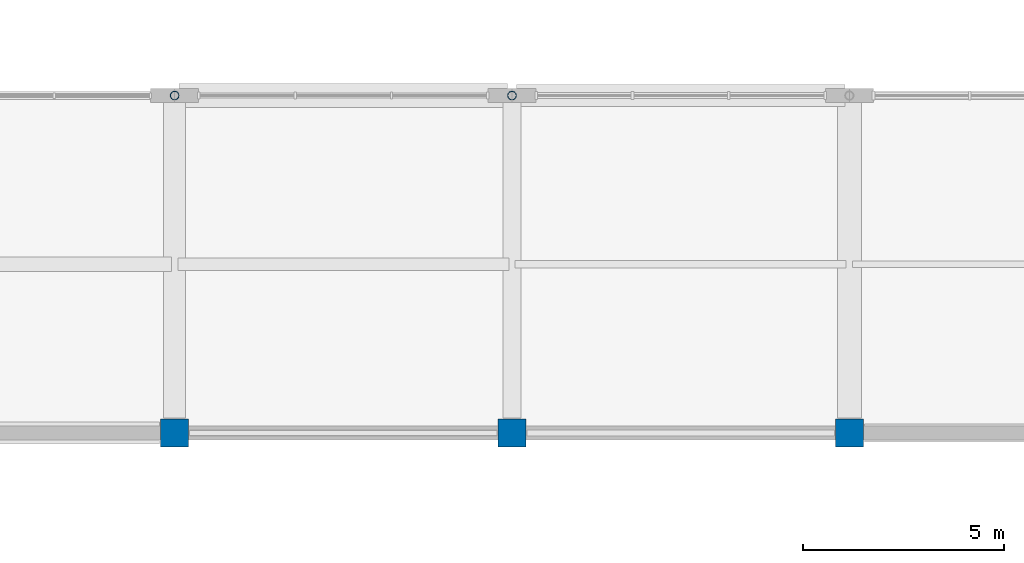
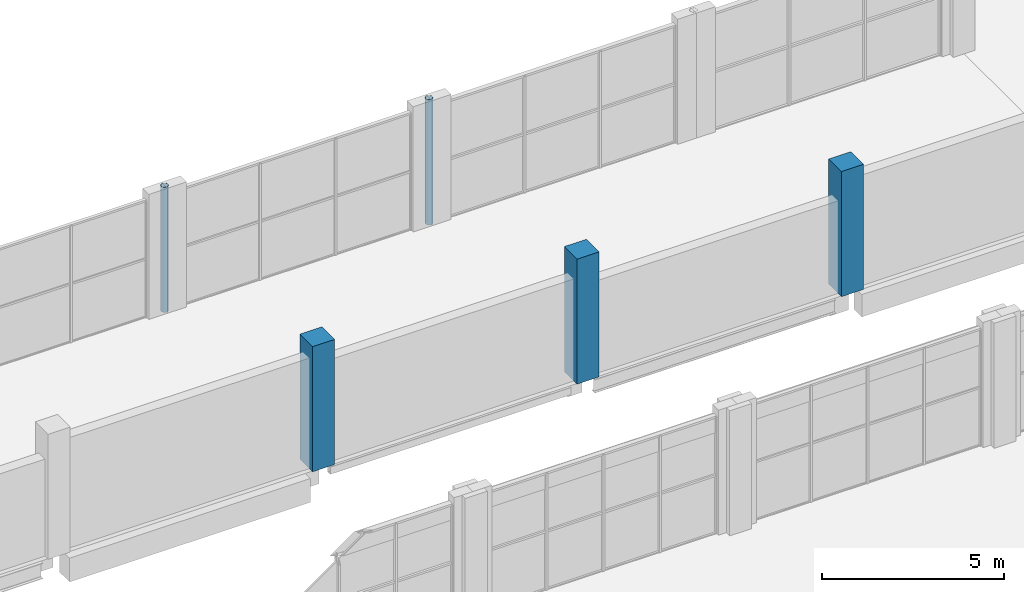
# One storey, part 5 of 59: 5 columns.
"""IFC4 building model written with IfcOpenShell, lengths in metres."""

from ifc_helpers import new_model, si_unit, derived_unit, direction, frame, origin, origin_2d, place, context, subcontext, project, spatial, rectangle, hollow_circle, extrude, material, material_profile, profile_set, type_object, element, save


model = new_model("IFC4")

# Units and contexts
model_context = context("Model", 3, precision=1e-05, world=origin(), true_north=direction((0.0, 1.0)))
body_context = subcontext(model_context, "Body", "Model", "MODEL_VIEW")
ifc_project = project(units=[si_unit("LENGTHUNIT", "METRE"), si_unit("AREAUNIT", "SQUARE_METRE"), si_unit("VOLUMEUNIT", "CUBIC_METRE"), si_unit("PLANEANGLEUNIT", "RADIAN"), si_unit("MASSUNIT", "GRAM", prefix="KILO"), derived_unit("THERMALTRANSMITTANCEUNIT", [(si_unit("POWERUNIT", "WATT"), 1), (si_unit("LENGTHUNIT", "METRE"), -2), (si_unit("THERMODYNAMICTEMPERATUREUNIT", "KELVIN"), -1)])], contexts=[model_context])

# Site, building, storey
site_placement = place(None, origin())
site = spatial("IfcSite", under=ifc_project, at=site_placement, CompositionType="ELEMENT")
building_placement = place(site_placement, origin())
building = spatial("IfcBuilding", under=site, at=building_placement, Name="Barrovel Congress Hotel", CompositionType="ELEMENT")
storey_placement = place(building_placement, frame((0.0, 0.0, 9.89990234375)))
storey = spatial("IfcBuildingStorey", under=building, at=storey_placement, Name="L02", CompositionType="ELEMENT", Elevation=9.89990234375)

# Columns
ifc_material_1 = material(Name="Concrete C40", Category="concrete")
ifc_material_profile_1 = material_profile(ifc_material_1, rectangle(XDim=0.699951171875, YDim=0.699951171875, at=origin_2d()), Name="RC700x700")
ifc_profile_set_1 = profile_set([ifc_material_profile_1], Name="Concrete C40")
column_type_1 = type_object("IfcColumnType", Name="COL-RC700x700", PredefinedType="COLUMN", material=ifc_profile_set_1)
for number, where, z_axis, x_axis, name in (
    (1, (100.800048828125, 37.800048828125, 0.0), (0.0, 0.0, 1.0), (1.0, 0.0, 0.0), "COL:L02:100.8:37.8"),
    (2, (109.199951171875, 37.800048828125, 0.0), (0.0, 0.0, 1.0), (1.0, 0.0, 0.0), "COL:L02:109.2:37.8"),
    (3, (117.60009765625, 37.800048828125, 0.0), (0.0, 0.0, 1.0), (1.0, 0.0, 0.0), "COL:L02:117.6:37.8"),
):
    element("IfcColumn", number, at=place(storey_placement, frame(where, z_axis=z_axis, x_axis=x_axis)), inside=storey, type_object=column_type_1, Name=name, PredefinedType="COLUMN", context=body_context, shape_type="SweptSolid", body=[
        extrude(rectangle(XDim=0.699951171875, YDim=0.699951171875, at=origin_2d()), origin(), (0.0, 0.0, 1.0), 4.2001953125),
    ])
ifc_material_2 = material(Name="Steel ASTM A500 Grade C", Category="steel")
ifc_material_profile_2 = material_profile(ifc_material_2, hollow_circle(Radius=0.109619140625, WallThickness=0.0087890625, at=origin_2d()), Name="CHS219.1x9.5")
ifc_profile_set_2 = profile_set([ifc_material_profile_2], Name="Steel ASTM A500 Grade C")
column_type_2 = type_object("IfcColumnType", Name="SCOL-CHS219.1x9.5", PredefinedType="COLUMN", material=ifc_profile_set_2)
for number, where, z_axis, x_axis, name in (
    (4, (100.800048828125, 46.199951171875, 0.0), (0.0, 0.0, 1.0), (1.0, 0.0, 0.0), "COL:L02:100.8:46.2"),
    (5, (109.199951171875, 46.199951171875, 0.0), (0.0, 0.0, 1.0), (1.0, 0.0, 0.0), "COL:L02:109.2:46.2"),
):
    element("IfcColumn", number, at=place(storey_placement, frame(where, z_axis=z_axis, x_axis=x_axis)), inside=storey, type_object=column_type_2, Name=name, PredefinedType="COLUMN", context=body_context, shape_type="SweptSolid", body=[
        extrude(hollow_circle(Radius=0.109619140625, WallThickness=0.0087890625, at=origin_2d()), origin(), (0.0, 0.0, 1.0), 4.2001953125),
    ])

save(model, "model.ifc")
